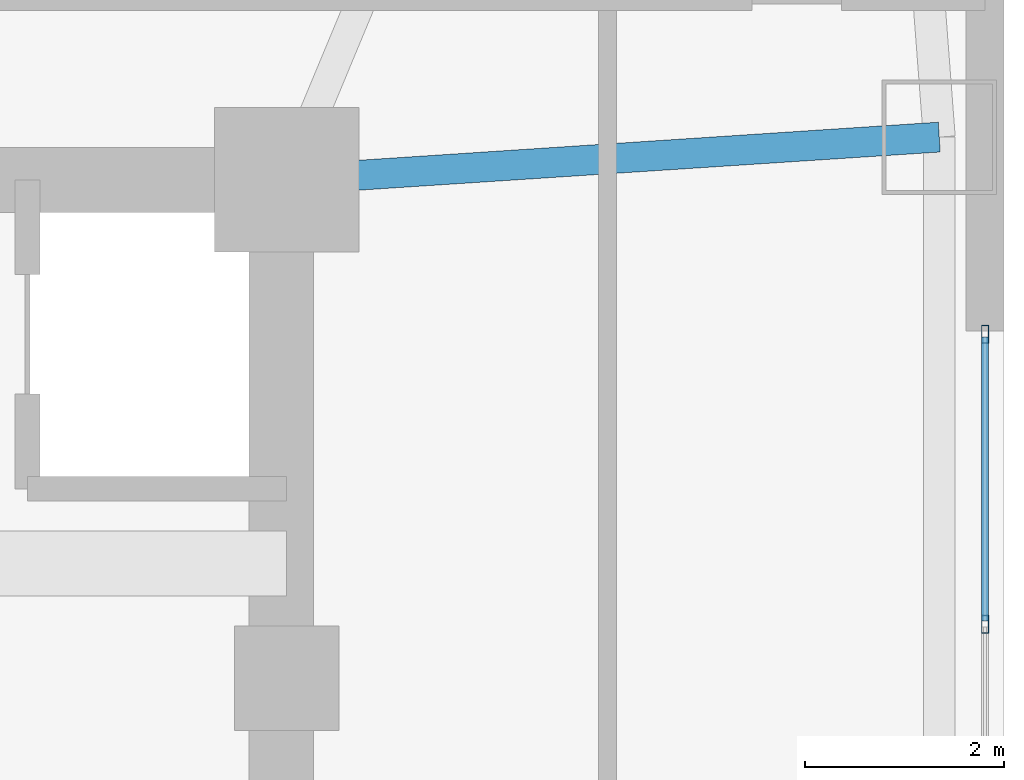
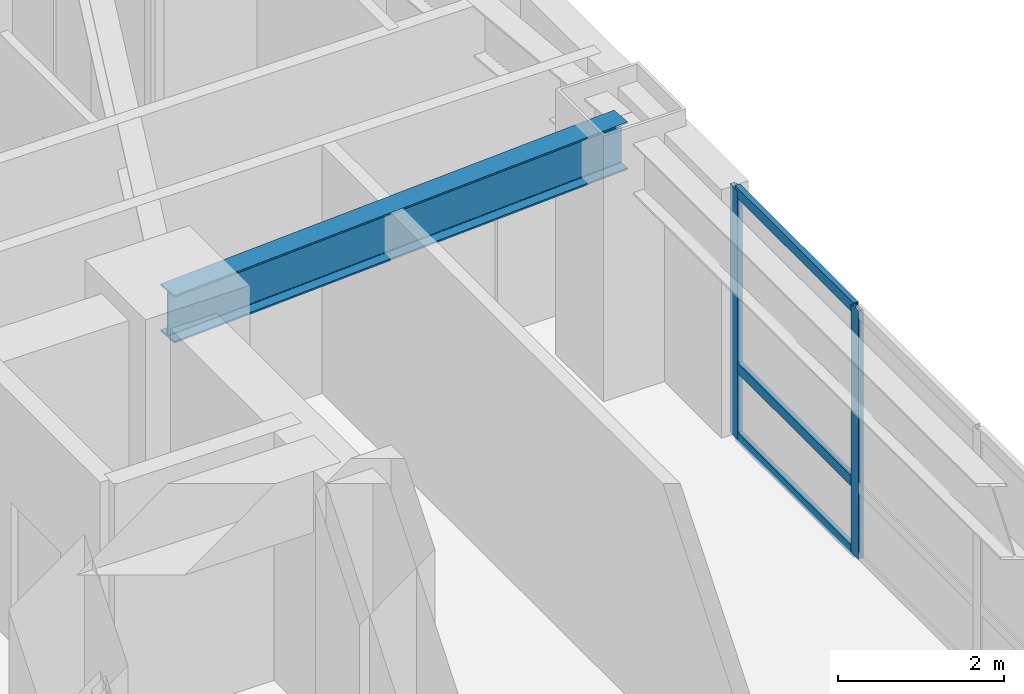
# One storey, part 14 of 28: 5 members, 1 beam, 1 element without a shape of its own.
"""IFC4 building model written with IfcOpenShell, lengths in metres."""

from ifc_helpers import new_model, si_unit, direction, frame, origin, origin_2d, place, context, subcontext, project, spatial, hollow_rectangle, i_section, extrude, material, layer, layer_set, material_profile, profile_set, type_object, element, aggregate, save


model = new_model("IFC4")

# Units and contexts
model_context = context("Model", 3, precision=1e-05, world=origin(), true_north=direction((0.0, 1.0)))
body_context = subcontext(model_context, "Body", "Model", "MODEL_VIEW")
ifc_project = project(units=[si_unit("LENGTHUNIT", "METRE"), si_unit("AREAUNIT", "SQUARE_METRE"), si_unit("VOLUMEUNIT", "CUBIC_METRE"), si_unit("PLANEANGLEUNIT", "RADIAN"), si_unit("MASSUNIT", "GRAM", prefix="KILO")], contexts=[model_context])

# Site, building, storey
site_placement = place(None, origin())
site = spatial("IfcSite", under=ifc_project, at=site_placement, CompositionType="ELEMENT")
building_placement = place(site_placement, origin())
building = spatial("IfcBuilding", under=site, at=building_placement, Name="Voryun Gate Residences", CompositionType="ELEMENT")
storey_placement = place(building_placement, frame((0.0, 0.0, 61.10009765625)))
storey = spatial("IfcBuildingStorey", under=building, at=storey_placement, Name="L14", CompositionType="ELEMENT", Elevation=61.10009765625)

# Beam
ifc_material_1 = material(Name="Steel SM355", Category="steel")
ifc_material_profile_1 = material_profile(ifc_material_1, i_section(OverallWidth=0.300048828125, OverallDepth=0.699951171875, WebThickness=0.012939453125, FlangeThickness=0.02392578125, FilletRadius=0.01806640625, at=origin_2d()), Name="H-700x300x13x24")
ifc_profile_set_1 = profile_set([ifc_material_profile_1], Name="Steel SM355")
beam_type = type_object("IfcBeamType", Name="BM_GIRD_700", PredefinedType="USERDEFINED", material=ifc_profile_set_1)
beam_placement = place(storey_placement, frame((19.199951171875, 7.39990234375, 3.2998046875), z_axis=(0.997850335415, 0.06553402255, 0.0), x_axis=(-0.06553402255, 0.997850335415, 0.0)))
element("IfcBeam", 1, at=beam_placement, inside=storey, type_object=beam_type, Name="BM-L14-RAD-E2", ObjectType="GIRDER", PredefinedType="USERDEFINED", context=body_context, shape_type="SweptSolid", body=[
    extrude(i_section(OverallWidth=0.300048828125, OverallDepth=0.699951171875, WebThickness=0.012939453125, FlangeThickness=0.02392578125, FilletRadius=0.01806640625, at=origin_2d()), origin(), (0.0, 0.0, 1.0), 6.564208984375),
])

# Curtain wall, members
ifc_material_2 = material(Name="Anodised aluminium", Category="aluminium")
ifc_layer = layer(ifc_material_2, 0.179931640625, Name="CW_SYS_RES_A_DARK_GLASS")
ifc_layer_set = layer_set([ifc_layer], Name="Anodised aluminium")
curtain_wall_type = type_object("IfcCurtainWallType", Name="CW_SYS_RES_A_DARK_GLASS", PredefinedType="NOTDEFINED", material=ifc_layer_set)
curtain_wall_placement = place(storey_placement, origin())
curtain_wall = element("IfcCurtainWall", 2, at=curtain_wall_placement, inside=storey, type_object=curtain_wall_type, Name="Curtain wall CWT-L14-16", PredefinedType="NOTDEFINED")
ifc_material_3 = material(Name="Anodised aluminium", Category="aluminium")
ifc_material_profile_2 = material_profile(ifc_material_3, hollow_rectangle(XDim=0.070068359375, YDim=0.179931640625, WallThickness=0.00390625, at=origin_2d()), Name="ALU-MULL-180x70x4")
ifc_profile_set_2 = profile_set([ifc_material_profile_2], Name="Anodised aluminium")
member_type_1 = type_object("IfcMemberType", Name="CW_MULL_RES", PredefinedType="MULLION", material=ifc_profile_set_2)
member_1_placement = place(storey_placement, frame((26.2099609375, 5.85205078125, 0.0), z_axis=(0.0, 0.0, 1.0), x_axis=(1.0, 0.0, 0.0)))
member_1 = element("IfcMember", 3, at=member_1_placement, type_object=member_type_1, Name="CW3 mullion 1", PredefinedType="MULLION", context=body_context, shape_type="SweptSolid", body=[
    extrude(hollow_rectangle(XDim=0.070068359375, YDim=0.179931640625, WallThickness=0.00390625, at=origin_2d()), origin(), (0.0, 0.0, 1.0), 3.64990234375),
])
member_2_placement = place(storey_placement, frame((26.2099609375, 2.94091796875, 0.0), z_axis=(0.0, 0.0, 1.0), x_axis=(1.0, 0.0, 0.0)))
member_2 = element("IfcMember", 4, at=member_2_placement, type_object=member_type_1, Name="CW3 mullion 2", PredefinedType="MULLION", context=body_context, shape_type="SweptSolid", body=[
    extrude(hollow_rectangle(XDim=0.070068359375, YDim=0.179931640625, WallThickness=0.00390625, at=origin_2d()), origin(), (0.0, 0.0, 1.0), 3.64990234375),
])
ifc_material_4 = material(Name="Anodised aluminium", Category="aluminium")
ifc_material_profile_3 = material_profile(ifc_material_4, hollow_rectangle(XDim=0.070068359375, YDim=0.14990234375, WallThickness=0.00390625, at=origin_2d()), Name="ALU-TRAN-150x70x4")
ifc_profile_set_3 = profile_set([ifc_material_profile_3], Name="Anodised aluminium")
member_type_2 = type_object("IfcMemberType", Name="CW_TRAN_RES", PredefinedType="USERDEFINED", material=ifc_profile_set_3)
member_3_placement = place(storey_placement, frame((26.2099609375, 5.822021484375, 0.02978515625), z_axis=(0.0, -1.0, 0.0), x_axis=(1.0, 0.0, 0.0)))
member_3 = element("IfcMember", 5, at=member_3_placement, type_object=member_type_2, Name="CW3 transom 1.1", ObjectType="TRANSOM", PredefinedType="USERDEFINED", context=body_context, shape_type="SweptSolid", body=[
    extrude(hollow_rectangle(XDim=0.070068359375, YDim=0.14990234375, WallThickness=0.00390625, at=origin_2d()), origin(), (0.0, 0.0, 1.0), 2.85107421875),
])
member_4_placement = place(storey_placement, frame((26.2099609375, 5.822021484375, 1.0498046875), z_axis=(0.0, -1.0, 0.0), x_axis=(1.0, 0.0, 0.0)))
member_4 = element("IfcMember", 6, at=member_4_placement, type_object=member_type_2, Name="CW3 transom 1.2", ObjectType="TRANSOM", PredefinedType="USERDEFINED", context=body_context, shape_type="SweptSolid", body=[
    extrude(hollow_rectangle(XDim=0.070068359375, YDim=0.14990234375, WallThickness=0.00390625, at=origin_2d()), origin(), (0.0, 0.0, 1.0), 2.85107421875),
])
member_5_placement = place(storey_placement, frame((26.2099609375, 5.822021484375, 3.619873046875), z_axis=(0.0, -1.0, 0.0), x_axis=(1.0, 0.0, 0.0)))
member_5 = element("IfcMember", 7, at=member_5_placement, type_object=member_type_2, Name="CW3 transom 1.3", ObjectType="TRANSOM", PredefinedType="USERDEFINED", context=body_context, shape_type="SweptSolid", body=[
    extrude(hollow_rectangle(XDim=0.070068359375, YDim=0.14990234375, WallThickness=0.00390625, at=origin_2d()), origin(), (0.0, 0.0, 1.0), 2.85107421875),
])
aggregate(curtain_wall, [member_1, member_2, member_3, member_4, member_5])

save(model, "model.ifc")
